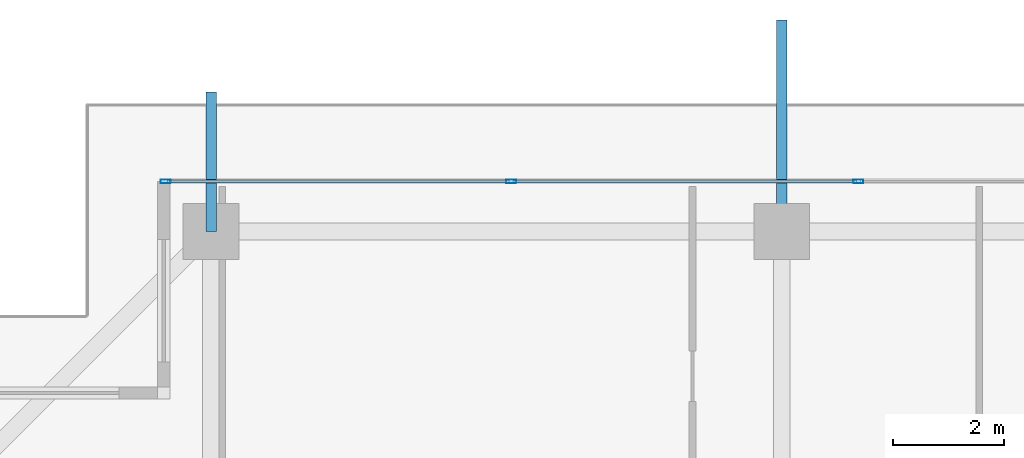
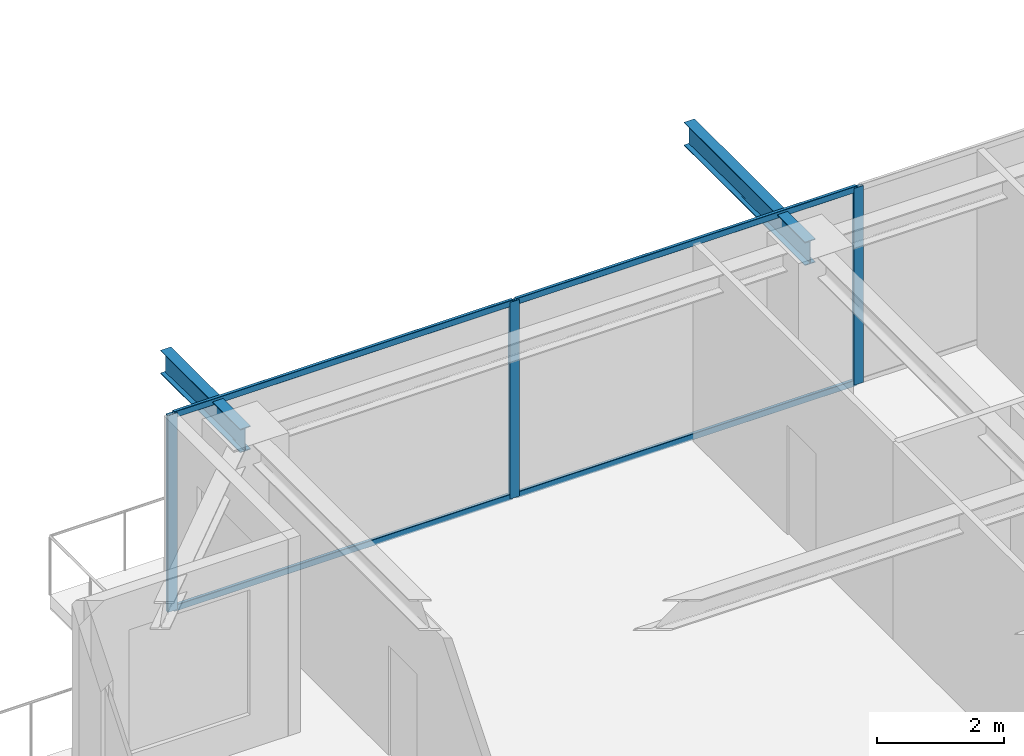
# One storey, part 23 of 42: 7 members, 2 beams, 1 element without a shape of its own.
"""IFC4 building model written with IfcOpenShell, lengths in metres."""

from ifc_helpers import new_model, si_unit, direction, frame, origin, origin_2d, place, context, subcontext, project, spatial, hollow_rectangle, i_section, extrude, source, transform, mapped, material, layer, layer_set, material_profile, profile_set, type_object, element, aggregate, save


model = new_model("IFC4")

# Units and contexts
model_context = context("Model", 3, precision=1e-05, world=origin(), true_north=direction((0.0, 1.0)))
body_context = subcontext(model_context, "Body", "Model", "MODEL_VIEW")
ifc_project = project(units=[si_unit("LENGTHUNIT", "METRE"), si_unit("AREAUNIT", "SQUARE_METRE"), si_unit("VOLUMEUNIT", "CUBIC_METRE"), si_unit("PLANEANGLEUNIT", "RADIAN"), si_unit("MASSUNIT", "GRAM", prefix="KILO")], contexts=[model_context])

# Site, building, storey
site_placement = place(None, origin())
site = spatial("IfcSite", under=ifc_project, at=site_placement, CompositionType="ELEMENT")
building_placement = place(site_placement, origin())
building = spatial("IfcBuilding", under=site, at=building_placement, Name="Serunith Strait Residences", CompositionType="ELEMENT")
storey_placement = place(building_placement, frame((0.0, 0.0, 309.64990234375)))
storey = spatial("IfcBuildingStorey", under=building, at=storey_placement, Name="L77", CompositionType="ELEMENT", Elevation=309.64990234375)

# Beams
ifc_material_1 = material(Name="Steel S355J2", Category="steel")
ifc_material_profile_1 = material_profile(ifc_material_1, i_section(OverallWidth=0.18994140625, OverallDepth=0.449951171875, WebThickness=0.009521484375, FlangeThickness=0.0146484375, FilletRadius=0.02099609375, at=origin_2d()), Name="IPE 450")
ifc_profile_set_1 = profile_set([ifc_material_profile_1], Name="Steel S355J2")
beam_type = type_object("IfcBeamType", Name="BM-IPE450", PredefinedType="JOIST", material=ifc_profile_set_1)
shared_shape_1 = source(origin(), body_context, "Body", "SweptSolid", [
    extrude(i_section(OverallWidth=0.18994140625, OverallDepth=0.449951171875, WebThickness=0.009521484375, FlangeThickness=0.0146484375, FilletRadius=0.02099609375, at=origin_2d()), origin(), (0.0, 0.0, 1.0), 2.501953125),
])
beam_1_placement = place(storey_placement, frame((17.64990234375, 47.10009765625, 3.531982421875), z_axis=(0.0, 1.0, 0.0), x_axis=(-1.0, 0.0, 0.0)))
element("IfcBeam", 1, at=beam_1_placement, inside=storey, type_object=beam_type, Name="L78 Cantilevered Balcony Rib TC-N1", PredefinedType="JOIST", context=body_context, shape_type="MappedRepresentation", body=[
    mapped(shared_shape_1, transform((0.0, 0.0, 0.0), scale=1.0)),
])
shared_shape_2 = source(origin(), body_context, "Body", "SweptSolid", [
    extrude(i_section(OverallWidth=0.18994140625, OverallDepth=0.449951171875, WebThickness=0.009521484375, FlangeThickness=0.0146484375, FilletRadius=0.02099609375, at=origin_2d()), origin(), (0.0, 0.0, 1.0), 3.7998046875),
])
beam_2_placement = place(storey_placement, frame((27.89990234375, 47.10009765625, 3.531982421875), z_axis=(0.0, 1.0, 0.0), x_axis=(-1.0, 0.0, 0.0)))
element("IfcBeam", 2, at=beam_2_placement, inside=storey, type_object=beam_type, Name="L78 Cantilevered Balcony Rib TC-N2", PredefinedType="JOIST", context=body_context, shape_type="MappedRepresentation", body=[
    mapped(shared_shape_2, transform((0.0, 0.0, 0.0), scale=1.0)),
])

# Curtain wall, members
ifc_material_2 = material(Name="Brushed Stainless-Silver Aluminium", Category="aluminium")
ifc_layer = layer(ifc_material_2, 0.199951171875, Name="Brushed Stainless-Silver Aluminium")
ifc_layer_set = layer_set([ifc_layer], Name="Brushed Stainless-Silver Aluminium")
curtain_wall_type = type_object("IfcCurtainWallType", Name="CW-SYS5", PredefinedType="NOTDEFINED", material=ifc_layer_set)
curtain_wall_placement = place(storey_placement, origin())
curtain_wall = element("IfcCurtainWall", 3, at=curtain_wall_placement, inside=storey, type_object=curtain_wall_type, Name="L77 N Unitised Fritted Curtain Wall", PredefinedType="NOTDEFINED")
ifc_material_profile_2 = material_profile(ifc_material_2, hollow_rectangle(XDim=0.06494140625, YDim=0.179931640625, WallThickness=0.00341796875, InnerFilletRadius=0.00537109375, OuterFilletRadius=0.0087890625, at=origin_2d()), Name="ALU 180x65x3.5")
ifc_profile_set_2 = profile_set([ifc_material_profile_2], Name="Brushed Stainless-Silver Aluminium")
member_type_1 = type_object("IfcMemberType", Name="CW-SYS5-MULL", PredefinedType="MULLION", material=ifc_profile_set_2)
shared_shape_3 = source(origin(), body_context, "Body", "SweptSolid", [
    extrude(hollow_rectangle(XDim=0.06494140625, YDim=0.179931640625, WallThickness=0.00341796875, InnerFilletRadius=0.00537109375, OuterFilletRadius=0.0087890625, at=origin_2d()), origin(), (0.0, 0.0, 1.0), 3.775146484375),
])
member_1_placement = place(storey_placement, frame((29.280029296875, 48.0, 0.0), z_axis=(0.0, 0.0, 1.0), x_axis=(0.0, -1.0, 0.0)))
member_1 = element("IfcMember", 4, at=member_1_placement, type_object=member_type_1, Name="CW-5 mullion 4", PredefinedType="MULLION", context=body_context, shape_type="MappedRepresentation", body=[
    mapped(shared_shape_3, transform((0.0, 0.0, 0.0), scale=1.0)),
])
member_2_placement = place(storey_placement, frame((23.0400390625, 48.0, 0.0), z_axis=(0.0, 0.0, 1.0), x_axis=(0.0, -1.0, 0.0)))
member_2 = element("IfcMember", 5, at=member_2_placement, type_object=member_type_1, Name="CW-5 mullion 5", PredefinedType="MULLION", context=body_context, shape_type="MappedRepresentation", body=[
    mapped(shared_shape_3, transform((0.0, 0.0, 0.0), scale=1.0)),
])
member_3_placement = place(storey_placement, frame((16.83251953125, 48.0, 0.0), z_axis=(0.0, 0.0, 1.0), x_axis=(0.0, -1.0, 0.0)))
member_3 = element("IfcMember", 6, at=member_3_placement, type_object=member_type_1, Name="CW-5 mullion 6", PredefinedType="MULLION", context=body_context, shape_type="MappedRepresentation", body=[
    mapped(shared_shape_3, transform((0.0, 0.0, 0.0), scale=1.0)),
])
ifc_material_profile_3 = material_profile(ifc_material_2, hollow_rectangle(XDim=0.06005859375, YDim=0.1201171875, WallThickness=0.00341796875, InnerFilletRadius=0.00537109375, OuterFilletRadius=0.0087890625, at=origin_2d()), Name="ALU 120x60x3.5")
ifc_profile_set_3 = profile_set([ifc_material_profile_3], Name="Brushed Stainless-Silver Aluminium")
member_type_2 = type_object("IfcMemberType", Name="CW-SYS5-TRAN", PredefinedType="USERDEFINED", material=ifc_profile_set_3)
shared_shape_4 = source(origin(), body_context, "Body", "SweptSolid", [
    extrude(hollow_rectangle(XDim=0.06005859375, YDim=0.1201171875, WallThickness=0.00341796875, InnerFilletRadius=0.00537109375, OuterFilletRadius=0.0087890625, at=origin_2d()), origin(), (0.0, 0.0, 1.0), 6.142578125),
])
member_4_placement = place(storey_placement, frame((23.007568359375, 48.0, 0.030029296875), z_axis=(-1.0, 0.0, 0.0), x_axis=(0.0, -1.0, 0.0)))
member_4 = element("IfcMember", 7, at=member_4_placement, type_object=member_type_2, Name="CW-5 transom 5.1", ObjectType="TRANSOM", PredefinedType="USERDEFINED", context=body_context, shape_type="MappedRepresentation", body=[
    mapped(shared_shape_4, transform((0.0, 0.0, 0.0), scale=1.0)),
])
member_5_placement = place(storey_placement, frame((23.007568359375, 48.0, 3.7451171875), z_axis=(-1.0, 0.0, 0.0), x_axis=(0.0, -1.0, 0.0)))
member_5 = element("IfcMember", 8, at=member_5_placement, type_object=member_type_2, Name="CW-5 transom 5.2", ObjectType="TRANSOM", PredefinedType="USERDEFINED", context=body_context, shape_type="MappedRepresentation", body=[
    mapped(shared_shape_4, transform((0.0, 0.0, 0.0), scale=1.0)),
])
shared_shape_5 = source(origin(), body_context, "Body", "SweptSolid", [
    extrude(hollow_rectangle(XDim=0.06005859375, YDim=0.1201171875, WallThickness=0.00341796875, InnerFilletRadius=0.00537109375, OuterFilletRadius=0.0087890625, at=origin_2d()), origin(), (0.0, 0.0, 1.0), 6.175048828125),
])
member_6_placement = place(storey_placement, frame((29.24755859375, 48.0, 0.030029296875), z_axis=(-1.0, 0.0, 0.0), x_axis=(0.0, -1.0, 0.0)))
member_6 = element("IfcMember", 9, at=member_6_placement, type_object=member_type_2, Name="CW-5 transom 4.1", ObjectType="TRANSOM", PredefinedType="USERDEFINED", context=body_context, shape_type="MappedRepresentation", body=[
    mapped(shared_shape_5, transform((0.0, 0.0, 0.0), scale=1.0)),
])
member_7_placement = place(storey_placement, frame((29.24755859375, 48.0, 3.7451171875), z_axis=(-1.0, 0.0, 0.0), x_axis=(0.0, -1.0, 0.0)))
member_7 = element("IfcMember", 10, at=member_7_placement, type_object=member_type_2, Name="CW-5 transom 4.2", ObjectType="TRANSOM", PredefinedType="USERDEFINED", context=body_context, shape_type="MappedRepresentation", body=[
    mapped(shared_shape_5, transform((0.0, 0.0, 0.0), scale=1.0)),
])
aggregate(curtain_wall, [member_1, member_2, member_3, member_6, member_7, member_4, member_5])

save(model, "model.ifc")
